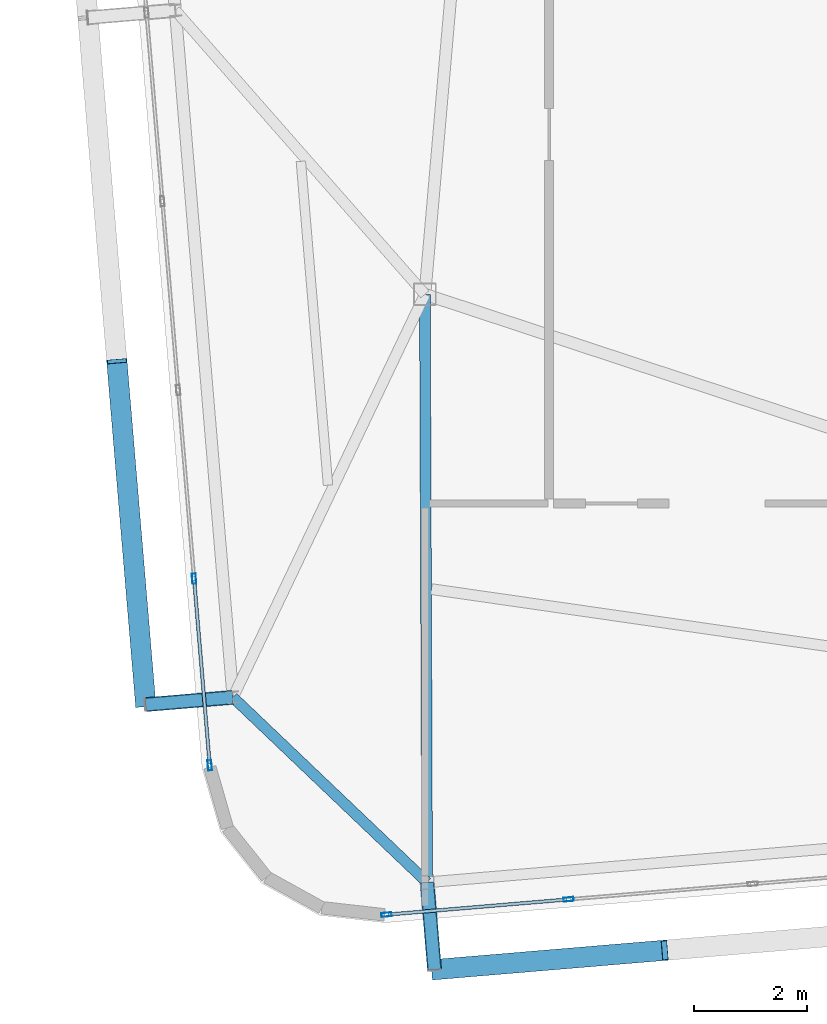
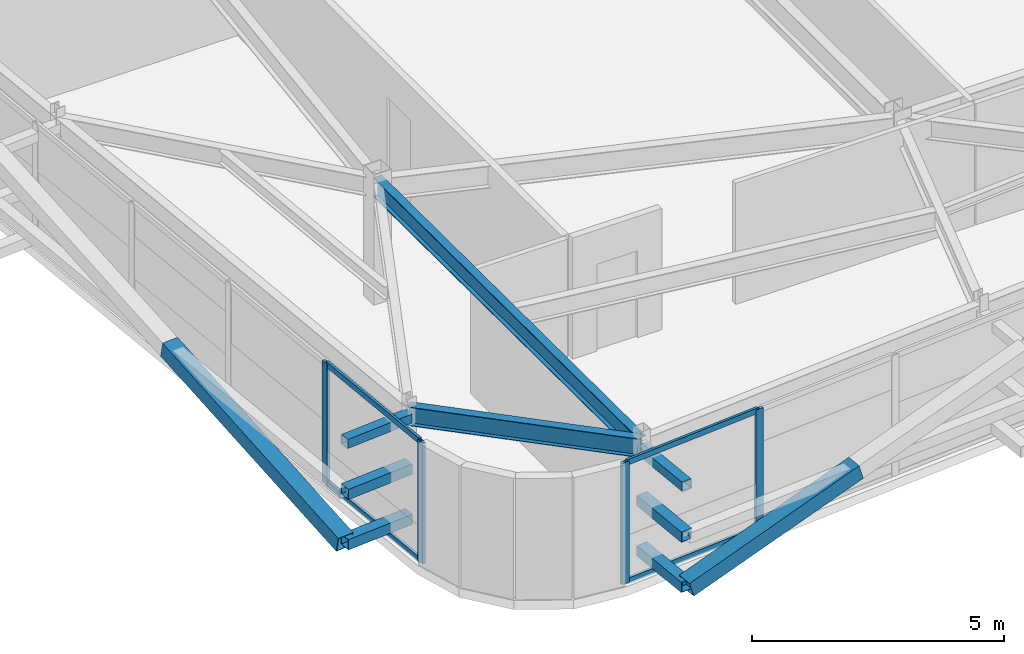
# One storey, part 7 of 46: 16 members, 2 beams, 2 elements without a shape of their own.
"""IFC4 building model written with IfcOpenShell, lengths in metres."""

from ifc_helpers import new_model, si_unit, direction, frame, origin, origin_2d, place, context, subcontext, project, spatial, hollow_rectangle, i_section, extrude, source, transform, mapped, material, layer, layer_set, material_profile, profile_set, type_object, element, aggregate, save


model = new_model("IFC4")

# Units and contexts
model_context = context("Model", 3, precision=1e-05, world=origin(), true_north=direction((0.0, 1.0)))
body_context = subcontext(model_context, "Body", "Model", "MODEL_VIEW")
ifc_project = project(units=[si_unit("LENGTHUNIT", "METRE"), si_unit("AREAUNIT", "SQUARE_METRE"), si_unit("VOLUMEUNIT", "CUBIC_METRE"), si_unit("PLANEANGLEUNIT", "RADIAN"), si_unit("MASSUNIT", "GRAM", prefix="KILO")], contexts=[model_context])

# Site, building, storey
site_placement = place(None, origin())
site = spatial("IfcSite", under=ifc_project, at=site_placement, CompositionType="ELEMENT")
building_placement = place(site_placement, origin())
building = spatial("IfcBuilding", under=site, at=building_placement, Name="Taldren Reach Tower", CompositionType="ELEMENT")
storey_placement = place(building_placement, frame((0.0, 0.0, 185.14990234375)))
storey = spatial("IfcBuildingStorey", under=building, at=storey_placement, Name="L56", CompositionType="ELEMENT", Elevation=185.14990234375)

# Members
ifc_material_1 = material(Name="Steel Gr 350 (C350L0)", Category="steel")
ifc_material_profile_1 = material_profile(ifc_material_1, hollow_rectangle(XDim=0.25, YDim=0.25, WallThickness=0.010009765625, at=origin_2d()), Name="250x250x10.0SHS")
ifc_profile_set_1 = profile_set([ifc_material_profile_1], Name="Steel Gr 350 (C350L0)")
member_type_1 = type_object("IfcMemberType", Name="MB-POST250", PredefinedType="POST", material=ifc_profile_set_1)
shared_shape_1 = source(origin(), body_context, "Body", "SweptSolid", [
    extrude(hollow_rectangle(XDim=0.25, YDim=0.25, WallThickness=0.010009765625, at=origin_2d()), origin(), (0.0, 0.0, 1.0), 1.5498046875),
])
for number, where, z_axis, x_axis, name in (
    (1, (18.03955078125, 2.093994140625, 0.22021484375), (0.083801560254, -0.996482462715, 0.0), (0.996482462715, 0.083801560254, 0.0), "Exoskeleton base diaphragm tie strut B4-S1 L56"),
    (2, (18.03955078125, 2.093994140625, 1.43505859375), (0.083801560254, -0.996482462715, 0.0), (0.996482462715, 0.083801560254, 0.0), "Exoskeleton mid-tier diaphragm tie B4-S1 L56"),
):
    element("IfcMember", number, at=place(storey_placement, frame(where, z_axis=z_axis, x_axis=x_axis)), inside=storey, type_object=member_type_1, Name=name, PredefinedType="POST", context=body_context, shape_type="MappedRepresentation", body=[
        mapped(shared_shape_1, transform((0.0, 0.0, 0.0), scale=1.0)),
    ])

# Beams
ifc_material_2 = material(Name="Steel Gr 350 (350PLUS)", Category="steel")
ifc_material_profile_2 = material_profile(ifc_material_2, i_section(OverallWidth=0.18994140625, OverallDepth=0.4541015625, WebThickness=0.008544921875, FlangeThickness=0.0126953125, at=origin_2d()), Name="460UB67.1")
ifc_profile_set_2 = profile_set([ifc_material_profile_2], Name="Steel Gr 350 (350PLUS)")
beam_type_1 = type_object("IfcBeamType", Name="SP-UB460B", PredefinedType="SPANDREL", material=ifc_profile_set_2)
shared_shape_2 = source(origin(), body_context, "Body", "SweptSolid", [
    extrude(i_section(OverallWidth=0.18994140625, OverallDepth=0.4541015625, WebThickness=0.008544921875, FlangeThickness=0.0126953125, at=origin_2d()), origin(), (0.0, 0.0, 1.0), 4.745849609375),
])
beam_1_placement = place(storey_placement, frame((14.603759765625, 5.367919921875, 2.703125), z_axis=(0.723954399605, -0.689847829084, 0.0), x_axis=(0.689847829084, 0.723954399605, 0.0)))
element("IfcBeam", 3, at=beam_1_placement, inside=storey, type_object=beam_type_1, Name="Perimeter spandrel B4 W1-S1 L56", PredefinedType="SPANDREL", context=body_context, shape_type="MappedRepresentation", body=[
    mapped(shared_shape_2, transform((0.0, 0.0, 0.0), scale=1.0)),
])
ifc_material_profile_3 = material_profile(ifc_material_2, i_section(OverallWidth=0.19091796875, OverallDepth=0.4599609375, WebThickness=0.010009765625, FlangeThickness=0.01611328125, at=origin_2d()), Name="460UB82.1")
ifc_profile_set_3 = profile_set([ifc_material_profile_3], Name="Steel Gr 350 (350PLUS)")
beam_type_2 = type_object("IfcBeamType", Name="BM-UB460A", PredefinedType="BEAM", material=ifc_profile_set_3)
shared_shape_3 = source(origin(), body_context, "Body", "SweptSolid", [
    extrude(i_section(OverallWidth=0.19091796875, OverallDepth=0.4599609375, WebThickness=0.010009765625, FlangeThickness=0.01611328125, at=origin_2d()), origin(), (0.0, 0.0, 1.0), 10.406005859375),
])
beam_2_placement = place(storey_placement, frame((18.0, 12.5, 2.7001953125), z_axis=(0.003800737393, -0.999992777172, 0.0), x_axis=(0.999992777172, 0.003800737393, 0.0)))
element("IfcBeam", 4, at=beam_2_placement, inside=storey, type_object=beam_type_2, Name="Primary floor girder B4-S1 L56", PredefinedType="BEAM", context=body_context, shape_type="MappedRepresentation", body=[
    mapped(shared_shape_3, transform((0.0, 0.0, 0.0), scale=1.0)),
])

# Members
ifc_material_3 = material(Name="Steel Gr 450 (C450L0)", Category="steel")
ifc_material_profile_4 = material_profile(ifc_material_3, hollow_rectangle(XDim=0.219970703125, YDim=0.219970703125, WallThickness=0.00830078125, at=origin_2d()), Name="220x220x8.2SHS")
ifc_profile_set_4 = profile_set([ifc_material_profile_4], Name="Steel Gr 450 (C450L0)")
member_type_2 = type_object("IfcMemberType", Name="MB-TIE219", PredefinedType="STRUT", material=ifc_profile_set_4)
shared_shape_4 = source(origin(), body_context, "Body", "SweptSolid", [
    extrude(hollow_rectangle(XDim=0.219970703125, YDim=0.219970703125, WallThickness=0.00830078125, at=origin_2d()), origin(), (0.0, 0.0, 1.0), 1.5498046875),
])
member_1_placement = place(storey_placement, frame((18.03955078125, 2.093994140625, 2.650146484375), z_axis=(0.083801560254, -0.996482462715, 0.0), x_axis=(0.996482462715, 0.083801560254, 0.0)))
element("IfcMember", 5, at=member_1_placement, inside=storey, type_object=member_type_2, Name="Exoskeleton diaphragm tie strut B4-S1 L56", PredefinedType="STRUT", context=body_context, shape_type="MappedRepresentation", body=[
    mapped(shared_shape_4, transform((0.0, 0.0, 0.0), scale=1.0)),
])
shared_shape_5 = source(origin(), body_context, "Body", "SweptSolid", [
    extrude(hollow_rectangle(XDim=0.219970703125, YDim=0.219970703125, WallThickness=0.00830078125, at=origin_2d()), origin(), (0.0, 0.0, 1.0), 1.54541015625),
])
member_2_placement = place(storey_placement, frame((14.59912109375, 5.36767578125, 2.650146484375), z_axis=(-0.99648887425, -0.083725285883, 0.0), x_axis=(0.083725285883, -0.99648887425, 0.0)))
element("IfcMember", 6, at=member_2_placement, inside=storey, type_object=member_type_2, Name="Exoskeleton diaphragm tie strut B4-W1 L56", PredefinedType="STRUT", context=body_context, shape_type="MappedRepresentation", body=[
    mapped(shared_shape_5, transform((0.0, 0.0, 0.0), scale=1.0)),
])
shared_shape_6 = source(origin(), body_context, "Body", "SweptSolid", [
    extrude(hollow_rectangle(XDim=0.25, YDim=0.25, WallThickness=0.010009765625, at=origin_2d()), origin(), (0.0, 0.0, 1.0), 1.54541015625),
])
for number, where, z_axis, x_axis, name in (
    (7, (14.59912109375, 5.36767578125, 0.22021484375), (-0.99648887425, -0.083725285883, 0.0), (0.083725285883, -0.99648887425, 0.0), "Exoskeleton base diaphragm tie strut B4-W1 L56"),
    (8, (14.59912109375, 5.36767578125, 1.43505859375), (-0.99648887425, -0.083725285883, 0.0), (0.083725285883, -0.99648887425, 0.0), "Exoskeleton mid-tier diaphragm tie B4-W1 L56"),
):
    element("IfcMember", number, at=place(storey_placement, frame(where, z_axis=z_axis, x_axis=x_axis)), inside=storey, type_object=member_type_1, Name=name, PredefinedType="POST", context=body_context, shape_type="MappedRepresentation", body=[
        mapped(shared_shape_6, transform((0.0, 0.0, 0.0), scale=1.0)),
    ])
ifc_material_profile_5 = material_profile(ifc_material_3, hollow_rectangle(XDim=0.360107421875, YDim=0.360107421875, WallThickness=0.0126953125, at=origin_2d()), Name="360x360x12.7SHS")
ifc_profile_set_5 = profile_set([ifc_material_profile_5], Name="Steel Gr 450 (C450L0)")
member_type_3 = type_object("IfcMemberType", Name="MB-EXO356", PredefinedType="BRACE", material=ifc_profile_set_5)
shared_shape_7 = source(origin(), body_context, "Body", "SweptSolid", [
    extrude(hollow_rectangle(XDim=0.360107421875, YDim=0.360107421875, WallThickness=0.0126953125, at=origin_2d()), origin(), (0.0, 0.0, 1.0), 4.2666015625),
])
member_3_placement = place(storey_placement, frame((18.16943359375, 0.549560546875, 0.22021484375), z_axis=(0.955249107127, 0.080166766448, 0.284732212595), x_axis=(-0.083628388178, 0.996497010879, 0.0)))
element("IfcMember", 9, at=member_3_placement, inside=storey, type_object=member_type_3, Name="Exoskeleton Diagrid Brace B4-S1 L56", PredefinedType="BRACE", context=body_context, shape_type="MappedRepresentation", body=[
    mapped(shared_shape_7, transform((0.0, 0.0, 0.0), scale=1.0)),
])
shared_shape_8 = source(origin(), body_context, "Body", "SweptSolid", [
    extrude(hollow_rectangle(XDim=0.360107421875, YDim=0.360107421875, WallThickness=0.0126953125, at=origin_2d()), origin(), (0.0, 0.0, 1.0), 6.2197265625),
])
member_4_placement = place(storey_placement, frame((13.05908203125, 5.23828125, 0.22021484375), z_axis=(-0.082076194186, 0.977299417909, 0.19531857593), x_axis=(-0.996492003099, -0.083688038336, 0.0)))
element("IfcMember", 10, at=member_4_placement, inside=storey, type_object=member_type_3, Name="Exoskeleton Diagrid Brace B4-W1 L56", PredefinedType="BRACE", context=body_context, shape_type="MappedRepresentation", body=[
    mapped(shared_shape_8, transform((0.0, 0.0, 0.0), scale=1.0)),
])

# Curtain wall, members
ifc_material_4 = material(Name="Aluminium and Low-E Glass Unitised System", Category="aluminium")
ifc_layer = layer(ifc_material_4, 0.159912109375)
ifc_layer_set = layer_set([ifc_layer], Name="Aluminium and Low-E Glass Unitised System")
curtain_wall_type = type_object("IfcCurtainWallType", Name="CW-SYS-5", PredefinedType="NOTDEFINED", material=ifc_layer_set)
curtain_wall_1_placement = place(storey_placement, origin())
curtain_wall_1 = element("IfcCurtainWall", 11, at=curtain_wall_1_placement, inside=storey, type_object=curtain_wall_type, Name="Unitised curtain wall CW-L56-S", PredefinedType="NOTDEFINED")
ifc_material_5 = material(Name="Anodised Aluminium 6063-T6", Category="aluminium")
ifc_material_profile_6 = material_profile(ifc_material_5, hollow_rectangle(XDim=0.070068359375, YDim=0.179931640625, WallThickness=0.00390625, at=origin_2d()), Name="ALU-180x70x4RHS")
ifc_profile_set_6 = profile_set([ifc_material_profile_6], Name="Anodised Aluminium 6063-T6")
member_type_4 = type_object("IfcMemberType", Name="CW-MUL-180", PredefinedType="MULLION", material=ifc_profile_set_6)
shared_shape_9 = source(origin(), body_context, "Body", "SweptSolid", [
    extrude(hollow_rectangle(XDim=0.070068359375, YDim=0.179931640625, WallThickness=0.00390625, at=origin_2d()), origin(), (0.0, 0.0, 1.0), 2.93017578125),
])
member_5_placement = place(storey_placement, frame((17.320068359375, 1.521728515625, 0.0), z_axis=(0.0, 0.0, 1.0), x_axis=(-0.083677894865, 0.996492854922, 0.0)))
member_5 = element("IfcMember", 12, at=member_5_placement, type_object=member_type_4, Name="CW-5 mullion 1", PredefinedType="MULLION", context=body_context, shape_type="MappedRepresentation", body=[
    mapped(shared_shape_9, transform((0.0, 0.0, 0.0), scale=1.0)),
])
member_6_placement = place(storey_placement, frame((20.54296875, 1.79248046875, 0.0), z_axis=(0.0, 0.0, 1.0), x_axis=(-0.083677894865, 0.996492854922, 0.0)))
member_6 = element("IfcMember", 13, at=member_6_placement, type_object=member_type_4, Name="CW-5 mullion 2", PredefinedType="MULLION", context=body_context, shape_type="MappedRepresentation", body=[
    mapped(shared_shape_9, transform((0.0, 0.0, 0.0), scale=1.0)),
])

curtain_wall_2_placement = place(storey_placement, origin())
curtain_wall_2 = element("IfcCurtainWall", 14, at=curtain_wall_2_placement, inside=storey, type_object=curtain_wall_type, Name="Unitised curtain wall CW-L56-W", PredefinedType="NOTDEFINED")
member_7_placement = place(storey_placement, frame((13.91552734375, 7.4677734375, 0.0), z_axis=(0.0, 0.0, 1.0), x_axis=(0.996492847789, 0.083677979808, 0.0)))
member_7 = element("IfcMember", 15, at=member_7_placement, type_object=member_type_4, Name="CW-5 mullion 8", PredefinedType="MULLION", context=body_context, shape_type="MappedRepresentation", body=[
    mapped(shared_shape_9, transform((0.0, 0.0, 0.0), scale=1.0)),
])
member_8_placement = place(storey_placement, frame((14.19287109375, 4.164306640625, 0.0), z_axis=(0.0, 0.0, 1.0), x_axis=(0.996492847789, 0.083677979808, 0.0)))
member_8 = element("IfcMember", 16, at=member_8_placement, type_object=member_type_4, Name="CW-5 mullion 9", PredefinedType="MULLION", context=body_context, shape_type="MappedRepresentation", body=[
    mapped(shared_shape_9, transform((0.0, 0.0, 0.0), scale=1.0)),
])

# Member
ifc_material_profile_7 = material_profile(ifc_material_5, hollow_rectangle(XDim=0.06005859375, YDim=0.135009765625, WallThickness=0.00341796875, at=origin_2d()), Name="ALU-135x60x3.5RHS")
ifc_profile_set_7 = profile_set([ifc_material_profile_7], Name="Anodised Aluminium 6063-T6")
member_type_5 = type_object("IfcMemberType", Name="CW-TRN-150", PredefinedType="USERDEFINED", material=ifc_profile_set_7)
shared_shape_10 = source(origin(), body_context, "Body", "SweptSolid", [
    extrude(hollow_rectangle(XDim=0.06005859375, YDim=0.135009765625, WallThickness=0.00341796875, at=origin_2d()), origin(), (0.0, 0.0, 1.0), 3.1640625),
])
member_9_placement = place(storey_placement, frame((17.35498046875, 1.524658203125, 0.030029296875), z_axis=(0.996489659996, 0.083715933496, 0.0), x_axis=(-0.083715933496, 0.996489659996, 0.0)))
member_9 = element("IfcMember", 17, at=member_9_placement, type_object=member_type_5, Name="CW-5 transom 1.1", ObjectType="TRANSOM", PredefinedType="USERDEFINED", context=body_context, shape_type="MappedRepresentation", body=[
    mapped(shared_shape_10, transform((0.0, 0.0, 0.0), scale=1.0)),
])

member_10_placement = place(storey_placement, frame((17.35498046875, 1.524658203125, 2.900146484375), z_axis=(0.996489659996, 0.083715933496, 0.0), x_axis=(-0.083715933496, 0.996489659996, 0.0)))
member_10 = element("IfcMember", 18, at=member_10_placement, type_object=member_type_5, Name="CW-5 transom 1.2", ObjectType="TRANSOM", PredefinedType="USERDEFINED", context=body_context, shape_type="MappedRepresentation", body=[
    mapped(shared_shape_10, transform((0.0, 0.0, 0.0), scale=1.0)),
])

aggregate(curtain_wall_1, [member_5, member_6, member_9, member_10])

shared_shape_11 = source(origin(), body_context, "Body", "SweptSolid", [
    extrude(hollow_rectangle(XDim=0.06005859375, YDim=0.135009765625, WallThickness=0.00341796875, at=origin_2d()), origin(), (0.0, 0.0, 1.0), 3.2451171875),
])
member_11_placement = place(storey_placement, frame((13.91845703125, 7.432861328125, 0.030029296875), z_axis=(0.083661876203, -0.996494199918, 0.0), x_axis=(0.996494199918, 0.083661876203, 0.0)))
member_11 = element("IfcMember", 19, at=member_11_placement, type_object=member_type_5, Name="CW-5 transom 8.1", ObjectType="TRANSOM", PredefinedType="USERDEFINED", context=body_context, shape_type="MappedRepresentation", body=[
    mapped(shared_shape_11, transform((0.0, 0.0, 0.0), scale=1.0)),
])

member_12_placement = place(storey_placement, frame((13.91845703125, 7.432861328125, 2.900146484375), z_axis=(0.083661876203, -0.996494199918, 0.0), x_axis=(0.996494199918, 0.083661876203, 0.0)))
member_12 = element("IfcMember", 20, at=member_12_placement, type_object=member_type_5, Name="CW-5 transom 8.2", ObjectType="TRANSOM", PredefinedType="USERDEFINED", context=body_context, shape_type="MappedRepresentation", body=[
    mapped(shared_shape_11, transform((0.0, 0.0, 0.0), scale=1.0)),
])

aggregate(curtain_wall_2, [member_7, member_8, member_11, member_12])

save(model, "model.ifc")
